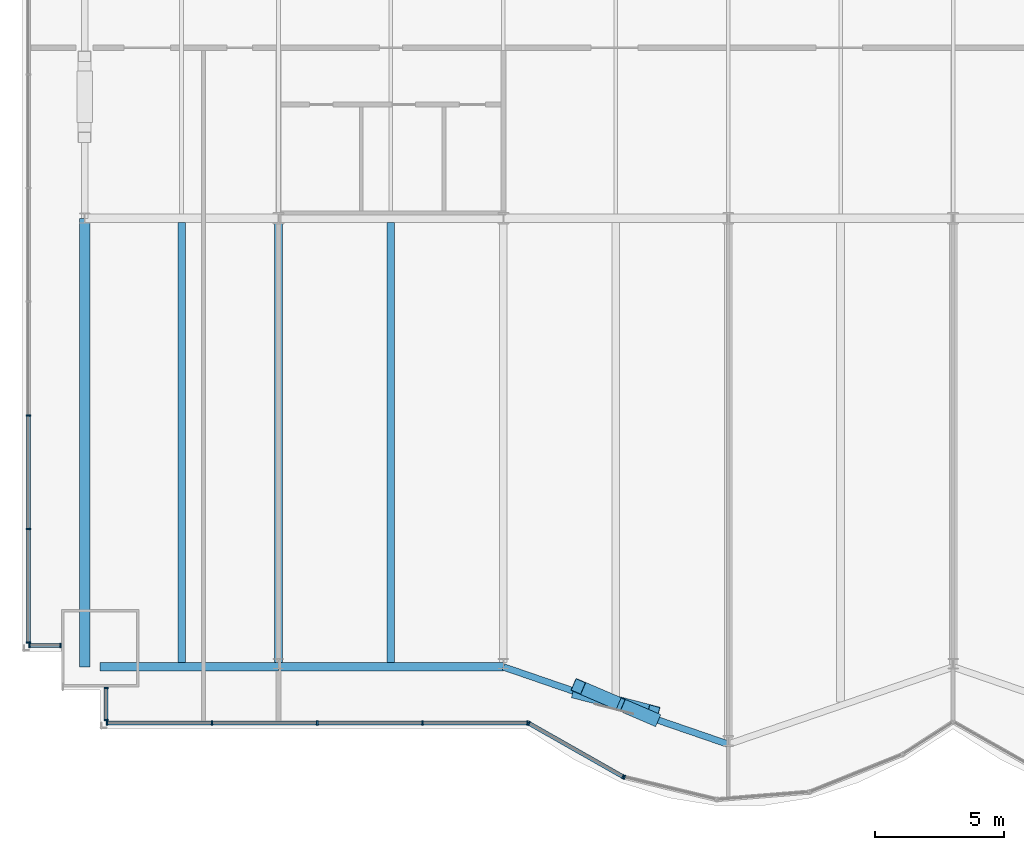
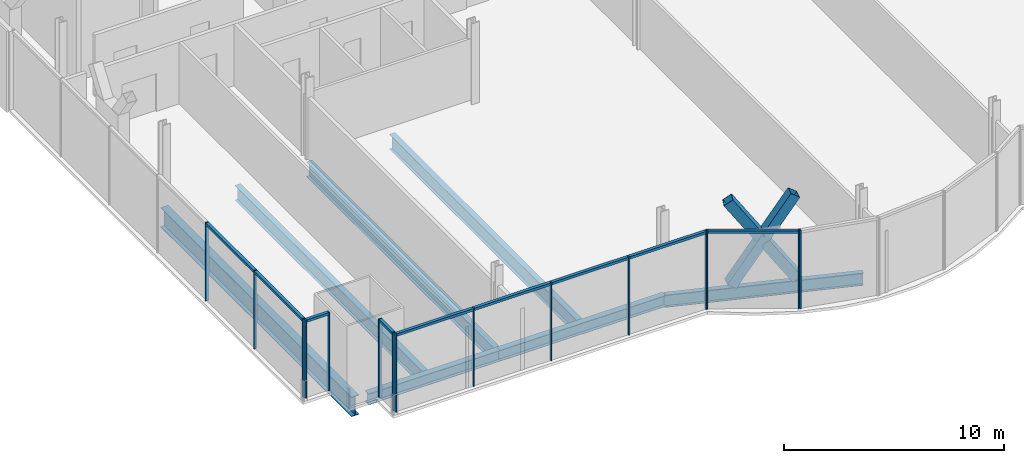
# One storey, part 4 of 22: 27 members, 7 beams, 5 elements without a shape of their own.
"""IFC4 building model written with IfcOpenShell, lengths in metres."""

from ifc_helpers import new_model, si_unit, direction, frame, origin, origin_2d, place, context, subcontext, project, spatial, rectangle, hollow_rectangle, i_section, extrude, material, material_profile, profile_set, type_object, element, aggregate, save


model = new_model("IFC4")

# Units and contexts
model_context = context("Model", 3, precision=1e-05, world=origin(), true_north=direction((0.0, 1.0)))
body_context = subcontext(model_context, "Body", "Model", "MODEL_VIEW")
ifc_project = project(units=[si_unit("LENGTHUNIT", "METRE"), si_unit("AREAUNIT", "SQUARE_METRE"), si_unit("VOLUMEUNIT", "CUBIC_METRE"), si_unit("PLANEANGLEUNIT", "RADIAN"), si_unit("MASSUNIT", "GRAM", prefix="KILO")], contexts=[model_context])

# Site, building, storey
site_placement = place(None, origin())
site = spatial("IfcSite", under=ifc_project, at=site_placement, CompositionType="ELEMENT")
building_placement = place(site_placement, origin())
building = spatial("IfcBuilding", under=site, at=building_placement, Name="Bicima Exchange Tower", CompositionType="ELEMENT")
storey_placement = place(building_placement, frame((0.0, 0.0, 39.5)))
storey = spatial("IfcBuildingStorey", under=building, at=storey_placement, Name="L07", CompositionType="ELEMENT", Elevation=39.5)

# Curtain wall, members
ifc_material_1 = material(Name="Anodised bronze aluminium", Category="aluminium")
curtain_wall_type_1 = type_object("IfcCurtainWallType", Name="End face glass wall", PredefinedType="NOTDEFINED", material=ifc_material_1)
curtain_wall_1_placement = place(storey_placement, origin())
curtain_wall_1 = element("IfcCurtainWall", 1, at=curtain_wall_1_placement, inside=storey, type_object=curtain_wall_type_1, Name="End face glass wall L07 run 2", PredefinedType="NOTDEFINED")
ifc_material_profile_1 = material_profile(ifc_material_1, rectangle(XDim=0.159912109375, YDim=0.06005859375, at=origin_2d()))
ifc_profile_set_1 = profile_set([ifc_material_profile_1], Name="Anodised bronze aluminium")
member_type_1 = type_object("IfcMemberType", Name="End face glass wall mullion 60 x 160", PredefinedType="MULLION", material=ifc_profile_set_1)
member_1_placement = place(storey_placement, frame((-35.77001953125, -29.62060546875, 0.0), z_axis=(0.0, 0.0, 1.0), x_axis=(1.0, 0.0, 0.0)))
member_1 = element("IfcMember", 2, at=member_1_placement, type_object=member_type_1, Name="End face glass wall mullion 5", PredefinedType="MULLION", context=body_context, shape_type="SweptSolid", body=[
    extrude(rectangle(XDim=0.159912109375, YDim=0.06005859375, at=origin_2d()), origin(), (0.0, 0.0, 1.0), 4.35009765625),
])
member_2_placement = place(storey_placement, frame((-35.77001953125, -34.018310546875, 0.0), z_axis=(0.0, 0.0, 1.0), x_axis=(1.0, 0.0, 0.0)))
member_2 = element("IfcMember", 3, at=member_2_placement, type_object=member_type_1, Name="End face glass wall mullion 6", PredefinedType="MULLION", context=body_context, shape_type="SweptSolid", body=[
    extrude(rectangle(XDim=0.159912109375, YDim=0.06005859375, at=origin_2d()), origin(), (0.0, 0.0, 1.0), 4.35009765625),
])
member_3_placement = place(storey_placement, frame((-35.77001953125, -38.416015625, 0.0), z_axis=(0.0, 0.0, 1.0), x_axis=(1.0, 0.0, 0.0)))
member_3 = element("IfcMember", 4, at=member_3_placement, type_object=member_type_1, Name="End face glass wall mullion 7", PredefinedType="MULLION", context=body_context, shape_type="SweptSolid", body=[
    extrude(rectangle(XDim=0.159912109375, YDim=0.06005859375, at=origin_2d()), origin(), (0.0, 0.0, 1.0), 4.35009765625),
])
ifc_material_profile_2 = material_profile(ifc_material_1, rectangle(XDim=0.159912109375, YDim=0.139892578125, at=origin_2d()))
ifc_profile_set_2 = profile_set([ifc_material_profile_2], Name="Anodised bronze aluminium")
member_type_2 = type_object("IfcMemberType", Name="End face glass wall transom 140 x 160", PredefinedType="USERDEFINED", material=ifc_profile_set_2)
member_4_placement = place(storey_placement, frame((-35.77001953125, -29.650634765625, 4.280029296875), z_axis=(0.0, -1.0, 0.0), x_axis=(1.0, 0.0, 0.0)))
member_4 = element("IfcMember", 5, at=member_4_placement, type_object=member_type_2, Name="End face glass wall transom 5.1", ObjectType="TRANSOM", PredefinedType="USERDEFINED", context=body_context, shape_type="SweptSolid", body=[
    extrude(rectangle(XDim=0.159912109375, YDim=0.139892578125, at=origin_2d()), origin(), (0.0, 0.0, 1.0), 4.337646484375),
])
member_5_placement = place(storey_placement, frame((-35.77001953125, -34.04833984375, 4.280029296875), z_axis=(0.0, -1.0, 0.0), x_axis=(1.0, 0.0, 0.0)))
member_5 = element("IfcMember", 6, at=member_5_placement, type_object=member_type_2, Name="End face glass wall transom 6.1", ObjectType="TRANSOM", PredefinedType="USERDEFINED", context=body_context, shape_type="SweptSolid", body=[
    extrude(rectangle(XDim=0.159912109375, YDim=0.139892578125, at=origin_2d()), origin(), (0.0, 0.0, 1.0), 4.337646484375),
])
aggregate(curtain_wall_1, [member_1, member_2, member_3, member_4, member_5])

# Beams
ifc_material_2 = material(Name="Steel ASTM A992 Gr 50", Category="steel")
ifc_material_profile_3 = material_profile(ifc_material_2, i_section(OverallWidth=0.4013671875, OverallDepth=1.089599609375, WebThickness=0.01806640625, FlangeThickness=0.031005859375, at=origin_2d()))
ifc_profile_set_3 = profile_set([ifc_material_profile_3], Name="Steel ASTM A992 Gr 50")
beam_type_1 = type_object("IfcBeamType", Name="End girder W44x230", PredefinedType="BEAM", material=ifc_profile_set_3)
beam_1_placement = place(storey_placement, frame((-33.60009765625, -22.0, -0.69482421875), z_axis=(0.0, -1.0, 0.0), x_axis=(1.0, 0.0, 0.0)))
element("IfcBeam", 7, at=beam_1_placement, inside=storey, type_object=beam_type_1, Name="End girder", PredefinedType="BEAM", context=body_context, shape_type="SweptSolid", body=[
    extrude(i_section(OverallWidth=0.4013671875, OverallDepth=1.089599609375, WebThickness=0.01806640625, FlangeThickness=0.031005859375, at=origin_2d()), origin(), (0.0, 0.0, 1.0), 17.35595703125),
])
ifc_material_profile_4 = material_profile(ifc_material_2, i_section(OverallWidth=0.2919921875, OverallDepth=0.835693359375, WebThickness=0.013916015625, FlangeThickness=0.018798828125, at=origin_2d()))
ifc_profile_set_4 = profile_set([ifc_material_profile_4], Name="Steel ASTM A992 Gr 50")
beam_type_2 = type_object("IfcBeamType", Name="Floor beam W33x118", PredefinedType="JOIST", material=ifc_profile_set_4)
for number, where, z_axis, x_axis, name in (
    (8, (-29.85009765625, -22.16259765625, -0.56787109375), (0.0, -1.0, 0.0), (1.0, 0.0, 0.0), "Floor beam"),
    (9, (-26.10009765625, -22.16259765625, -0.56787109375), (0.0, -1.0, 0.0), (1.0, 0.0, 0.0), "Floor beam"),
    (10, (-21.75, -22.16259765625, -0.56787109375), (0.0, -1.0, 0.0), (1.0, 0.0, 0.0), "Floor beam"),
):
    element("IfcBeam", number, at=place(storey_placement, frame(where, z_axis=z_axis, x_axis=x_axis)), inside=storey, type_object=beam_type_2, Name=name, PredefinedType="JOIST", context=body_context, shape_type="SweptSolid", body=[
        extrude(i_section(OverallWidth=0.2919921875, OverallDepth=0.835693359375, WebThickness=0.013916015625, FlangeThickness=0.018798828125, at=origin_2d()), origin(), (0.0, 0.0, 1.0), 17.03076171875),
    ])
ifc_material_profile_5 = material_profile(ifc_material_2, i_section(OverallWidth=0.3251953125, OverallDepth=0.612060546875, WebThickness=0.0126953125, FlangeThickness=0.01904296875, at=origin_2d()))
ifc_profile_set_5 = profile_set([ifc_material_profile_5], Name="Steel ASTM A992 Gr 50")
beam_type_3 = type_object("IfcBeamType", Name="Front girder W24x104", PredefinedType="BEAM", material=ifc_profile_set_5)
beam_2_placement = place(storey_placement, frame((-33.0, -39.35595703125, -0.4560546875), z_axis=(1.0, 0.0, 0.0), x_axis=(0.0, 1.0, 0.0)))
element("IfcBeam", 11, at=beam_2_placement, inside=storey, type_object=beam_type_3, Name="Front girder", PredefinedType="BEAM", context=body_context, shape_type="SweptSolid", body=[
    extrude(i_section(OverallWidth=0.3251953125, OverallDepth=0.612060546875, WebThickness=0.0126953125, FlangeThickness=0.01904296875, at=origin_2d()), origin(), (0.0, 0.0, 1.0), 6.89990234375),
])
beam_3_placement = place(storey_placement, frame((-26.10009765625, -39.35595703125, -0.4560546875), z_axis=(1.0, 0.0, 0.0), x_axis=(0.0, 1.0, 0.0)))
element("IfcBeam", 12, at=beam_3_placement, inside=storey, type_object=beam_type_3, Name="Front girder", PredefinedType="BEAM", context=body_context, shape_type="SweptSolid", body=[
    extrude(i_section(OverallWidth=0.3251953125, OverallDepth=0.612060546875, WebThickness=0.0126953125, FlangeThickness=0.01904296875, at=origin_2d()), origin(), (0.0, 0.0, 1.0), 8.7001953125),
])
ifc_material_profile_6 = material_profile(ifc_material_2, i_section(OverallWidth=0.256591796875, OverallDepth=0.693359375, WebThickness=0.014404296875, FlangeThickness=0.023681640625, at=origin_2d()))
ifc_profile_set_6 = profile_set([ifc_material_profile_6], Name="Steel ASTM A992 Gr 50")
beam_type_4 = type_object("IfcBeamType", Name="Front girder W27x114", PredefinedType="BEAM", material=ifc_profile_set_6)
beam_4_placement = place(storey_placement, frame((-17.39990234375, -39.35595703125, -0.49658203125), z_axis=(0.945666456746, -0.325138359143, 0.0), x_axis=(0.325138359143, 0.945666456746, 0.0)))
element("IfcBeam", 13, at=beam_4_placement, inside=storey, type_object=beam_type_4, Name="Front girder", PredefinedType="BEAM", context=body_context, shape_type="SweptSolid", body=[
    extrude(i_section(OverallWidth=0.256591796875, OverallDepth=0.693359375, WebThickness=0.014404296875, FlangeThickness=0.023681640625, at=origin_2d()), origin(), (0.0, 0.0, 1.0), 9.19970703125),
])

# Curtain wall, members
curtain_wall_type_2 = type_object("IfcCurtainWallType", Name="Front glass wall", PredefinedType="NOTDEFINED", material=ifc_material_1)
curtain_wall_2_placement = place(storey_placement, origin())
curtain_wall_2 = element("IfcCurtainWall", 14, at=curtain_wall_2_placement, inside=storey, type_object=curtain_wall_type_2, Name="Front glass wall L07 run 3", PredefinedType="NOTDEFINED")
member_type_3 = type_object("IfcMemberType", Name="Front glass wall mullion 60 x 160", PredefinedType="MULLION", material=ifc_profile_set_1)
member_6_placement = place(storey_placement, frame((-35.739990234375, -38.52587890625, 0.0), z_axis=(0.0, 0.0, 1.0), x_axis=(0.0, 1.0, 0.0)))
member_6 = element("IfcMember", 15, at=member_6_placement, type_object=member_type_3, Name="Front glass wall mullion 1", PredefinedType="MULLION", context=body_context, shape_type="SweptSolid", body=[
    extrude(rectangle(XDim=0.159912109375, YDim=0.06005859375, at=origin_2d()), origin(), (0.0, 0.0, 1.0), 4.35009765625),
])
member_7_placement = place(storey_placement, frame((-34.530029296875, -38.52587890625, 0.0), z_axis=(0.0, 0.0, 1.0), x_axis=(0.0, 1.0, 0.0)))
member_7 = element("IfcMember", 16, at=member_7_placement, type_object=member_type_3, Name="Front glass wall mullion 2", PredefinedType="MULLION", context=body_context, shape_type="SweptSolid", body=[
    extrude(rectangle(XDim=0.159912109375, YDim=0.06005859375, at=origin_2d()), origin(), (0.0, 0.0, 1.0), 4.35009765625),
])

curtain_wall_3_placement = place(storey_placement, origin())
curtain_wall_3 = element("IfcCurtainWall", 17, at=curtain_wall_3_placement, inside=storey, type_object=curtain_wall_type_2, Name="Front glass wall L07 run 4", PredefinedType="NOTDEFINED")
member_8_placement = place(storey_placement, frame((-32.77001953125, -40.1640625, 0.0), z_axis=(0.0, 0.0, 1.0), x_axis=(1.0, 0.0, 0.0)))
member_8 = element("IfcMember", 18, at=member_8_placement, type_object=member_type_3, Name="Front glass wall mullion 1", PredefinedType="MULLION", context=body_context, shape_type="SweptSolid", body=[
    extrude(rectangle(XDim=0.159912109375, YDim=0.06005859375, at=origin_2d()), origin(), (0.0, 0.0, 1.0), 4.35009765625),
])
member_9_placement = place(storey_placement, frame((-32.77001953125, -41.416015625, 0.0), z_axis=(0.0, 0.0, 1.0), x_axis=(1.0, 0.0, 0.0)))
member_9 = element("IfcMember", 19, at=member_9_placement, type_object=member_type_3, Name="Front glass wall mullion 2", PredefinedType="MULLION", context=body_context, shape_type="SweptSolid", body=[
    extrude(rectangle(XDim=0.159912109375, YDim=0.06005859375, at=origin_2d()), origin(), (0.0, 0.0, 1.0), 4.35009765625),
])

curtain_wall_4_placement = place(storey_placement, origin())
curtain_wall_4 = element("IfcCurtainWall", 20, at=curtain_wall_4_placement, inside=storey, type_object=curtain_wall_type_2, Name="Front glass wall L07 run 5", PredefinedType="NOTDEFINED")
member_10_placement = place(storey_placement, frame((-32.739990234375, -41.52587890625, 0.0), z_axis=(0.0, 0.0, 1.0), x_axis=(0.0, 1.0, 0.0)))
member_10 = element("IfcMember", 21, at=member_10_placement, type_object=member_type_3, Name="Front glass wall mullion 1", PredefinedType="MULLION", context=body_context, shape_type="SweptSolid", body=[
    extrude(rectangle(XDim=0.159912109375, YDim=0.06005859375, at=origin_2d()), origin(), (0.0, 0.0, 1.0), 4.35009765625),
])
member_11_placement = place(storey_placement, frame((-28.67041015625, -41.52587890625, 0.0), z_axis=(0.0, 0.0, 1.0), x_axis=(0.0, 1.0, 0.0)))
member_11 = element("IfcMember", 22, at=member_11_placement, type_object=member_type_3, Name="Front glass wall mullion 2", PredefinedType="MULLION", context=body_context, shape_type="SweptSolid", body=[
    extrude(rectangle(XDim=0.159912109375, YDim=0.06005859375, at=origin_2d()), origin(), (0.0, 0.0, 1.0), 4.35009765625),
])
member_12_placement = place(storey_placement, frame((-24.60107421875, -41.52587890625, 0.0), z_axis=(0.0, 0.0, 1.0), x_axis=(0.0, 1.0, 0.0)))
member_12 = element("IfcMember", 23, at=member_12_placement, type_object=member_type_3, Name="Front glass wall mullion 3", PredefinedType="MULLION", context=body_context, shape_type="SweptSolid", body=[
    extrude(rectangle(XDim=0.159912109375, YDim=0.06005859375, at=origin_2d()), origin(), (0.0, 0.0, 1.0), 4.35009765625),
])
member_13_placement = place(storey_placement, frame((-20.531494140625, -41.52587890625, 0.0), z_axis=(0.0, 0.0, 1.0), x_axis=(0.0, 1.0, 0.0)))
member_13 = element("IfcMember", 24, at=member_13_placement, type_object=member_type_3, Name="Front glass wall mullion 4", PredefinedType="MULLION", context=body_context, shape_type="SweptSolid", body=[
    extrude(rectangle(XDim=0.159912109375, YDim=0.06005859375, at=origin_2d()), origin(), (0.0, 0.0, 1.0), 4.35009765625),
])
member_14_placement = place(storey_placement, frame((-16.462158203125, -41.52587890625, 0.0), z_axis=(0.0, 0.0, 1.0), x_axis=(0.0, 1.0, 0.0)))
member_14 = element("IfcMember", 25, at=member_14_placement, type_object=member_type_3, Name="Front glass wall mullion 5", PredefinedType="MULLION", context=body_context, shape_type="SweptSolid", body=[
    extrude(rectangle(XDim=0.159912109375, YDim=0.06005859375, at=origin_2d()), origin(), (0.0, 0.0, 1.0), 4.35009765625),
])

curtain_wall_5_placement = place(storey_placement, origin())
curtain_wall_5 = element("IfcCurtainWall", 26, at=curtain_wall_5_placement, inside=storey, type_object=curtain_wall_type_2, Name="Front glass wall L07 run 6", PredefinedType="NOTDEFINED")
member_15_placement = place(storey_placement, frame((-16.406005859375, -41.540771484375, 0.0), z_axis=(0.0, 0.0, 1.0), x_axis=(0.493395449343, 0.869805110681, 0.0)))
member_15 = element("IfcMember", 27, at=member_15_placement, type_object=member_type_3, Name="Front glass wall mullion 1", PredefinedType="MULLION", context=body_context, shape_type="SweptSolid", body=[
    extrude(rectangle(XDim=0.159912109375, YDim=0.06005859375, at=origin_2d()), origin(), (0.0, 0.0, 1.0), 4.35009765625),
])
member_16_placement = place(storey_placement, frame((-12.7734375, -43.601318359375, 0.0), z_axis=(0.0, 0.0, 1.0), x_axis=(0.493395449343, 0.869805110681, 0.0)))
member_16 = element("IfcMember", 28, at=member_16_placement, type_object=member_type_3, Name="Front glass wall mullion 2", PredefinedType="MULLION", context=body_context, shape_type="SweptSolid", body=[
    extrude(rectangle(XDim=0.159912109375, YDim=0.06005859375, at=origin_2d()), origin(), (0.0, 0.0, 1.0), 4.35009765625),
])
member_17_placement = place(storey_placement, frame((-12.718017578125, -43.623291015625, 0.0), z_axis=(0.0, 0.0, 1.0), x_axis=(0.235681529503, 0.971830343553, 0.0)))
member_17 = element("IfcMember", 29, at=member_17_placement, type_object=member_type_3, Name="Front glass wall mullion 1", PredefinedType="MULLION", context=body_context, shape_type="SweptSolid", body=[
    extrude(rectangle(XDim=0.159912109375, YDim=0.06005859375, at=origin_2d()), origin(), (0.0, 0.0, 1.0), 4.35009765625),
])

# Member
member_type_4 = type_object("IfcMemberType", Name="Front glass wall transom 140 x 160", PredefinedType="USERDEFINED", material=ifc_profile_set_2)
member_18_placement = place(storey_placement, frame((-35.7099609375, -38.52587890625, 4.280029296875), z_axis=(1.0, 0.0, 0.0), x_axis=(0.0, 1.0, 0.0)))
member_18 = element("IfcMember", 30, at=member_18_placement, type_object=member_type_4, Name="Front glass wall transom 1.1", ObjectType="TRANSOM", PredefinedType="USERDEFINED", context=body_context, shape_type="SweptSolid", body=[
    extrude(rectangle(XDim=0.159912109375, YDim=0.139892578125, at=origin_2d()), origin(), (0.0, 0.0, 1.0), 1.14990234375),
])

aggregate(curtain_wall_2, [member_6, member_7, member_18])

member_19_placement = place(storey_placement, frame((-32.77001953125, -40.194091796875, 4.280029296875), z_axis=(0.0, -1.0, 0.0), x_axis=(1.0, 0.0, 0.0)))
member_19 = element("IfcMember", 31, at=member_19_placement, type_object=member_type_4, Name="Front glass wall transom 1.1", ObjectType="TRANSOM", PredefinedType="USERDEFINED", context=body_context, shape_type="SweptSolid", body=[
    extrude(rectangle(XDim=0.159912109375, YDim=0.139892578125, at=origin_2d()), origin(), (0.0, 0.0, 1.0), 1.19189453125),
])

aggregate(curtain_wall_3, [member_8, member_9, member_19])

member_20_placement = place(storey_placement, frame((-32.7099609375, -41.52587890625, 4.280029296875), z_axis=(1.0, 0.0, 0.0), x_axis=(0.0, 1.0, 0.0)))
member_20 = element("IfcMember", 32, at=member_20_placement, type_object=member_type_4, Name="Front glass wall transom 1.1", ObjectType="TRANSOM", PredefinedType="USERDEFINED", context=body_context, shape_type="SweptSolid", body=[
    extrude(rectangle(XDim=0.159912109375, YDim=0.139892578125, at=origin_2d()), origin(), (0.0, 0.0, 1.0), 4.009521484375),
])

member_21_placement = place(storey_placement, frame((-28.640380859375, -41.52587890625, 4.280029296875), z_axis=(1.0, 0.0, 0.0), x_axis=(0.0, 1.0, 0.0)))
member_21 = element("IfcMember", 33, at=member_21_placement, type_object=member_type_4, Name="Front glass wall transom 2.1", ObjectType="TRANSOM", PredefinedType="USERDEFINED", context=body_context, shape_type="SweptSolid", body=[
    extrude(rectangle(XDim=0.159912109375, YDim=0.139892578125, at=origin_2d()), origin(), (0.0, 0.0, 1.0), 4.00927734375),
])

member_22_placement = place(storey_placement, frame((-24.571044921875, -41.52587890625, 4.280029296875), z_axis=(1.0, 0.0, 0.0), x_axis=(0.0, 1.0, 0.0)))
member_22 = element("IfcMember", 34, at=member_22_placement, type_object=member_type_4, Name="Front glass wall transom 3.1", ObjectType="TRANSOM", PredefinedType="USERDEFINED", context=body_context, shape_type="SweptSolid", body=[
    extrude(rectangle(XDim=0.159912109375, YDim=0.139892578125, at=origin_2d()), origin(), (0.0, 0.0, 1.0), 4.009521484375),
])

member_23_placement = place(storey_placement, frame((-20.501708984375, -41.52587890625, 4.280029296875), z_axis=(1.0, 0.0, 0.0), x_axis=(0.0, 1.0, 0.0)))
member_23 = element("IfcMember", 35, at=member_23_placement, type_object=member_type_4, Name="Front glass wall transom 4.1", ObjectType="TRANSOM", PredefinedType="USERDEFINED", context=body_context, shape_type="SweptSolid", body=[
    extrude(rectangle(XDim=0.159912109375, YDim=0.139892578125, at=origin_2d()), origin(), (0.0, 0.0, 1.0), 4.009521484375),
])

aggregate(curtain_wall_4, [member_10, member_11, member_12, member_13, member_14, member_20, member_21, member_22, member_23])

member_24_placement = place(storey_placement, frame((-16.3798828125, -41.5556640625, 4.280029296875), z_axis=(0.869797371721, -0.49340909208, 0.0), x_axis=(0.49340909208, 0.869797371721, 0.0)))
member_24 = element("IfcMember", 36, at=member_24_placement, type_object=member_type_4, Name="Front glass wall transom 1.1", ObjectType="TRANSOM", PredefinedType="USERDEFINED", context=body_context, shape_type="SweptSolid", body=[
    extrude(rectangle(XDim=0.159912109375, YDim=0.139892578125, at=origin_2d()), origin(), (0.0, 0.0, 1.0), 4.1162109375),
])

aggregate(curtain_wall_5, [member_15, member_16, member_24, member_17])

# Members
ifc_material_3 = material(Name="Steel ASTM A572 Gr 50", Category="steel")
ifc_material_profile_7 = material_profile(ifc_material_3, hollow_rectangle(XDim=0.508056640625, YDim=0.508056640625, WallThickness=0.017822265625, at=origin_2d()))
ifc_profile_set_7 = profile_set([ifc_material_profile_7], Name="Steel ASTM A572 Gr 50")
member_type_5 = type_object("IfcMemberType", Name="Mega brace HSS20x20x3/4", PredefinedType="BRACE", material=ifc_profile_set_7)
member_25_placement = place(storey_placement, frame((-14.5, -40.35302734375, 0.0), z_axis=(0.536409154739, -0.13927309591, 0.832387063491), x_axis=(0.251307155067, 0.967907389068, 0.0)))
element("IfcMember", 37, at=member_25_placement, inside=storey, type_object=member_type_5, Name="Mega brace front", PredefinedType="BRACE", context=body_context, shape_type="SweptSolid", body=[
    extrude(hollow_rectangle(XDim=0.508056640625, YDim=0.508056640625, WallThickness=0.017822265625, at=origin_2d()), origin(), (0.0, 0.0, 1.0), 5.40625),
])
for number, where, z_axis, x_axis, name in (
    (38, (-11.60009765625, -41.35009765625, 0.0), (-0.527717559217, 0.22585520382, 0.818842844874), (-0.393463786829, -0.919340115765, 0.0), "Mega brace front"),
    (39, (-13.132080078125, -40.6943359375, 2.37744140625), (-0.527717559217, 0.22585520382, 0.818842844874), (-0.393463786829, -0.919340115765, 0.0), "Mega brace front"),
):
    element("IfcMember", number, at=place(storey_placement, frame(where, z_axis=z_axis, x_axis=x_axis)), inside=storey, type_object=member_type_5, Name=name, PredefinedType="BRACE", context=body_context, shape_type="SweptSolid", body=[
        extrude(hollow_rectangle(XDim=0.508056640625, YDim=0.508056640625, WallThickness=0.017822265625, at=origin_2d()), origin(), (0.0, 0.0, 1.0), 2.592041015625),
    ])

save(model, "model.ifc")
